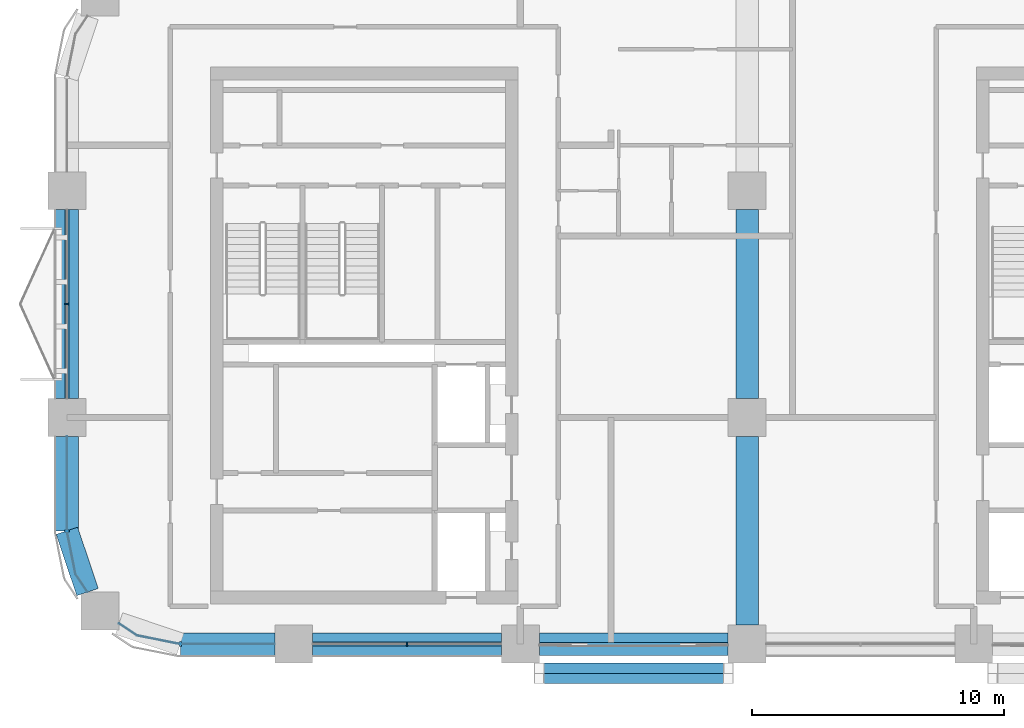
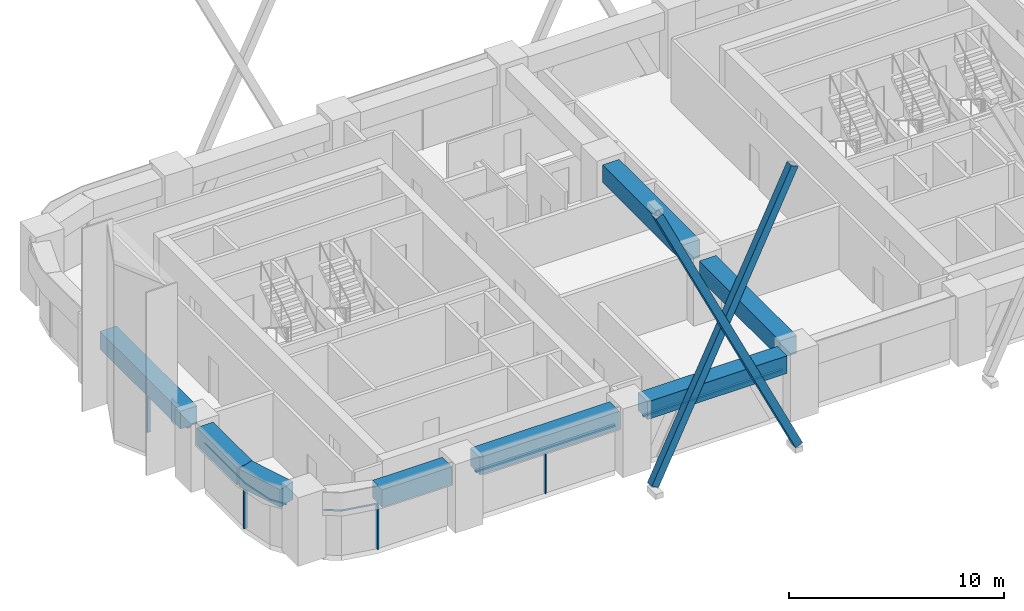
# One storey, part 2 of 13: 11 members, 8 beams, 5 elements without a shape of their own.
"""IFC4 building model written with IfcOpenShell, lengths in metres."""

from ifc_helpers import new_model, si_unit, direction, frame, origin, origin_2d, place, context, subcontext, project, spatial, polyline, rectangle, hollow_rectangle, outline, extrude, material, material_profile, profile_set, type_object, element, aggregate, save


model = new_model("IFC4")

# Units and contexts
model_context = context("Model", 3, precision=1e-05, world=origin(), true_north=direction((0.0, 1.0)))
body_context = subcontext(model_context, "Body", "Model", "MODEL_VIEW")
ifc_project = project(units=[si_unit("LENGTHUNIT", "METRE"), si_unit("AREAUNIT", "SQUARE_METRE"), si_unit("VOLUMEUNIT", "CUBIC_METRE"), si_unit("PLANEANGLEUNIT", "RADIAN"), si_unit("MASSUNIT", "GRAM", prefix="KILO")], contexts=[model_context])

# Site, building, storey
site_placement = place(None, origin())
site = spatial("IfcSite", under=ifc_project, at=site_placement, CompositionType="ELEMENT")
building_placement = place(site_placement, origin())
building = spatial("IfcBuilding", under=site, at=building_placement, Name="Tessera Arch", CompositionType="ELEMENT")
storey_placement = place(building_placement, frame((0.0, 0.0, 166.10009765625)))
storey = spatial("IfcBuildingStorey", under=building, at=storey_placement, Name="L39", CompositionType="ELEMENT", Elevation=166.10009765625)

# Members
ifc_material_1 = material(Name="Steel A500 Gr C", Category="steel")
ifc_material_profile_1 = material_profile(ifc_material_1, hollow_rectangle(XDim=0.406494140625, YDim=0.406494140625, WallThickness=0.0146484375, at=origin_2d()), Name="HSS16x16x5/8")
ifc_profile_set_1 = profile_set([ifc_material_profile_1], Name="Steel A500 Gr C")
member_type_1 = type_object("IfcMemberType", Name="Brace HSS16x16x5/8 Steel A500 Gr C", PredefinedType="BRACE", material=ifc_profile_set_1)
for number, where, z_axis, x_axis, name in (
    (1, (18.75, 26.046875, -0.800048828125), (0.433297739671, 0.0, 0.90125083567), (0.0, 1.0, 0.0), "Brace S27.0-2 A L39-L42"),
    (2, (26.25, 25.640380859375, -0.800048828125), (-0.433297739671, 0.0, 0.90125083567), (0.0, -1.0, 0.0), "Brace S27.0-2 B L39-L42"),
):
    element("IfcMember", number, at=place(storey_placement, frame(where, z_axis=z_axis, x_axis=x_axis)), inside=storey, type_object=member_type_1, Name=name, PredefinedType="BRACE", context=body_context, shape_type="SweptSolid", body=[
        extrude(hollow_rectangle(XDim=0.406494140625, YDim=0.406494140625, WallThickness=0.0146484375, at=origin_2d()), origin(), (0.0, 0.0, 1.0), 17.30908203125),
    ])

# Curtain wall, member
ifc_material_2 = material(Name="CW1 curtain wall")
curtain_wall_type_1 = type_object("IfcCurtainWallType", Name="CW1 curtain wall", PredefinedType="NOTDEFINED", material=ifc_material_2)
curtain_wall_1_placement = place(storey_placement, origin())
curtain_wall_1 = element("IfcCurtainWall", 3, at=curtain_wall_1_placement, inside=storey, type_object=curtain_wall_type_1, Name="CW1 curtain wall W0.27/1 L39", PredefinedType="NOTDEFINED")
ifc_material_3 = material(Name="Anodised aluminium pale metal", Category="aluminium")
ifc_material_profile_2 = material_profile(ifc_material_3, rectangle(XDim=0.159912109375, YDim=0.06005859375, at=origin_2d()), Name="AL 60x160")
ifc_profile_set_2 = profile_set([ifc_material_profile_2], Name="Anodised aluminium pale metal")
member_type_2 = type_object("IfcMemberType", Name="CW1 mullion", PredefinedType="MULLION", material=ifc_profile_set_2)
member_1_placement = place(storey_placement, frame((0.0, 40.5, 0.0), z_axis=(0.0, 0.0, 1.0), x_axis=(1.0, 0.0, 0.0)))
member_1 = element("IfcMember", 4, at=member_1_placement, type_object=member_type_2, Name="CW1 mullion W0.27/1 1", PredefinedType="MULLION", context=body_context, shape_type="SweptSolid", body=[
    extrude(rectangle(XDim=0.159912109375, YDim=0.06005859375, at=origin_2d()), origin(), (0.0, 0.0, 1.0), 2.5),
])

curtain_wall_2_placement = place(storey_placement, origin())
curtain_wall_2 = element("IfcCurtainWall", 5, at=curtain_wall_2_placement, inside=storey, type_object=curtain_wall_type_1, Name="CW1 curtain wall S27.0/1 L39", PredefinedType="NOTDEFINED")
member_2_placement = place(storey_placement, frame((13.5, 27.0, 0.0), z_axis=(0.0, 0.0, 1.0), x_axis=(0.0, 1.0, 0.0)))
member_2 = element("IfcMember", 6, at=member_2_placement, type_object=member_type_2, Name="CW1 mullion S27.0/1 1", PredefinedType="MULLION", context=body_context, shape_type="SweptSolid", body=[
    extrude(rectangle(XDim=0.159912109375, YDim=0.06005859375, at=origin_2d()), origin(), (0.0, 0.0, 1.0), 2.5),
])

# Member
ifc_material_4 = material(Name="Anodised aluminium pale metal", Category="aluminium")
ifc_material_profile_3 = material_profile(ifc_material_4, rectangle(XDim=0.159912109375, YDim=0.10009765625, at=origin_2d()), Name="AL 160x100")
ifc_profile_set_3 = profile_set([ifc_material_profile_3], Name="Anodised aluminium pale metal")
member_type_3 = type_object("IfcMemberType", Name="CW1 transom", PredefinedType="USERDEFINED", material=ifc_profile_set_3)
member_3_placement = place(storey_placement, frame((0.0, 44.25, 2.5498046875), z_axis=(0.0, -1.0, 0.0), x_axis=(1.0, 0.0, 0.0)))
member_3 = element("IfcMember", 7, at=member_3_placement, type_object=member_type_3, Name="CW1 transom W0.27/1 1.1", ObjectType="TRANSOM", PredefinedType="USERDEFINED", context=body_context, shape_type="SweptSolid", body=[
    extrude(rectangle(XDim=0.159912109375, YDim=0.10009765625, at=origin_2d()), origin(), (0.0, 0.0, 1.0), 7.5),
])

aggregate(curtain_wall_1, [member_1, member_3])

member_4_placement = place(storey_placement, frame((9.75, 27.0, 2.5498046875), z_axis=(1.0, 0.0, 0.0), x_axis=(0.0, 1.0, 0.0)))
member_4 = element("IfcMember", 8, at=member_4_placement, type_object=member_type_3, Name="CW1 transom S27.0/1 1.1", ObjectType="TRANSOM", PredefinedType="USERDEFINED", context=body_context, shape_type="SweptSolid", body=[
    extrude(rectangle(XDim=0.159912109375, YDim=0.10009765625, at=origin_2d()), origin(), (0.0, 0.0, 1.0), 7.5),
])

aggregate(curtain_wall_2, [member_2, member_4])

# Curtain wall, member
ifc_material_5 = material(Name="CW2 curtain wall")
curtain_wall_type_2 = type_object("IfcCurtainWallType", Name="CW2 curtain wall", PredefinedType="NOTDEFINED", material=ifc_material_5)
curtain_wall_3_placement = place(storey_placement, origin())
curtain_wall_3 = element("IfcCurtainWall", 9, at=curtain_wall_3_placement, inside=storey, type_object=curtain_wall_type_2, Name="CW2 curtain wall W0.27/2 L39", PredefinedType="NOTDEFINED")
ifc_material_6 = material(Name="Anodised aluminium pale metal", Category="aluminium")
ifc_material_profile_4 = material_profile(ifc_material_6, rectangle(XDim=0.199951171875, YDim=0.080078125, at=origin_2d()), Name="AL 80x200")
ifc_profile_set_4 = profile_set([ifc_material_profile_4], Name="Anodised aluminium pale metal")
member_type_4 = type_object("IfcMemberType", Name="CW2 mullion", PredefinedType="MULLION", material=ifc_profile_set_4)
member_5_placement = place(storey_placement, frame((0.0, 31.5, 0.0), z_axis=(0.0, 0.0, 1.0), x_axis=(1.0, 0.0, 0.0)))
member_5 = element("IfcMember", 10, at=member_5_placement, type_object=member_type_4, Name="CW2 mullion W0.27/2 1", PredefinedType="MULLION", context=body_context, shape_type="SweptSolid", body=[
    extrude(rectangle(XDim=0.199951171875, YDim=0.080078125, at=origin_2d()), origin(), (0.0, 0.0, 1.0), 2.5),
])

curtain_wall_4_placement = place(storey_placement, origin())
curtain_wall_4 = element("IfcCurtainWall", 11, at=curtain_wall_4_placement, inside=storey, type_object=curtain_wall_type_2, Name="CW2 curtain wall S27.0/0 L39", PredefinedType="NOTDEFINED")
member_6_placement = place(storey_placement, frame((4.5, 27.0, 0.0), z_axis=(0.0, 0.0, 1.0), x_axis=(0.0, 1.0, 0.0)))
member_6 = element("IfcMember", 12, at=member_6_placement, type_object=member_type_4, Name="CW2 mullion S27.0/0 1", PredefinedType="MULLION", context=body_context, shape_type="SweptSolid", body=[
    extrude(rectangle(XDim=0.199951171875, YDim=0.080078125, at=origin_2d()), origin(), (0.0, 0.0, 1.0), 2.5),
])

# Member
ifc_material_7 = material(Name="Anodised aluminium pale metal", Category="aluminium")
ifc_material_profile_5 = material_profile(ifc_material_7, rectangle(XDim=0.199951171875, YDim=0.10009765625, at=origin_2d()), Name="AL 200x100")
ifc_profile_set_5 = profile_set([ifc_material_profile_5], Name="Anodised aluminium pale metal")
member_type_5 = type_object("IfcMemberType", Name="CW2 transom", PredefinedType="USERDEFINED", material=ifc_profile_set_5)
member_7_placement = place(storey_placement, frame((0.0, 0.0, 2.5)))
member_7 = element("IfcMember", 13, at=member_7_placement, type_object=member_type_5, Name="CW2 transom W0.27/2 1", ObjectType="TRANSOM", PredefinedType="USERDEFINED", context=body_context, shape_type="SweptSolid", body=[
    extrude(outline(polyline([(0.010009765625, 31.5009765625), (0.010009765625, 35.25), (-0.010009765625, 35.25), (-0.010009765625, 31.4990234375), (0.3330078125, 29.77392578125), (0.80859375, 29.0625), (0.8251953125, 29.073486328125), (0.351806640625, 29.78173828125), (0.010009765625, 31.5009765625)])), origin(), (0.0, 0.0, 1.0), 0.099853515625),
])

aggregate(curtain_wall_3, [member_5, member_7])

member_8_placement = place(storey_placement, frame((0.0, 0.0, 2.5)))
member_8 = element("IfcMember", 14, at=member_8_placement, type_object=member_type_5, Name="CW2 transom S27.0/0 1", ObjectType="TRANSOM", PredefinedType="USERDEFINED", context=body_context, shape_type="SweptSolid", body=[
    extrude(outline(polyline([(2.78173828125, 27.351806640625), (2.073486328125, 27.8251953125), (2.0625, 27.80859375), (2.77392578125, 27.3330078125), (4.4990234375, 26.989990234375), (8.25, 26.989990234375), (8.25, 27.010009765625), (4.5009765625, 27.010009765625), (2.78173828125, 27.351806640625)])), origin(), (0.0, 0.0, 1.0), 0.099853515625),
])

aggregate(curtain_wall_4, [member_6, member_8])

# Curtain wall, member
ifc_material_8 = material(Name="CW3 curtain wall")
curtain_wall_type_3 = type_object("IfcCurtainWallType", Name="CW3 curtain wall", PredefinedType="NOTDEFINED", material=ifc_material_8)
curtain_wall_5_placement = place(storey_placement, origin())
curtain_wall_5 = element("IfcCurtainWall", 15, at=curtain_wall_5_placement, inside=storey, type_object=curtain_wall_type_3, Name="CW3 curtain wall S27.0/2 L39", PredefinedType="NOTDEFINED")
ifc_material_9 = material(Name="Anodised aluminium pale metal", Category="aluminium")
ifc_material_profile_6 = material_profile(ifc_material_9, rectangle(XDim=0.139892578125, YDim=0.10009765625, at=origin_2d()), Name="AL 140x100")
ifc_profile_set_6 = profile_set([ifc_material_profile_6], Name="Anodised aluminium pale metal")
member_type_6 = type_object("IfcMemberType", Name="CW3 transom", PredefinedType="USERDEFINED", material=ifc_profile_set_6)
member_9_placement = place(storey_placement, frame((18.75, 27.0, 2.5498046875), z_axis=(1.0, 0.0, 0.0), x_axis=(0.0, 1.0, 0.0)))
member_9 = element("IfcMember", 16, at=member_9_placement, type_object=member_type_6, Name="CW3 transom S27.0/2 1.1", ObjectType="TRANSOM", PredefinedType="USERDEFINED", context=body_context, shape_type="SweptSolid", body=[
    extrude(rectangle(XDim=0.139892578125, YDim=0.10009765625, at=origin_2d()), origin(), (0.0, 0.0, 1.0), 7.5),
])
aggregate(curtain_wall_5, [member_9])

# Beams
ifc_material_10 = material(Name="Concrete C70/85", Category="concrete")
ifc_material_profile_7 = material_profile(ifc_material_10, rectangle(XDim=0.89990234375, YDim=1.0, at=origin_2d()), Name="RC spandrel beam 900 x 1000 Concrete C70/85")
ifc_profile_set_7 = profile_set([ifc_material_profile_7], Name="Concrete C70/85")
beam_type = type_object("IfcBeamType", Name="RC spandrel beam 900 x 1000 Concrete C70/85", PredefinedType="BEAM", material=ifc_profile_set_7)
beam_1_placement = place(storey_placement, frame((0.0, 44.25, 3.099853515625), z_axis=(0.0, -1.0, 0.0), x_axis=(1.0, 0.0, 0.0)))
element("IfcBeam", 17, at=beam_1_placement, inside=storey, type_object=beam_type, Name="Spandrel beam L39 W0.27/1", PredefinedType="BEAM", context=body_context, shape_type="SweptSolid", body=[
    extrude(rectangle(XDim=0.89990234375, YDim=1.0, at=origin_2d()), origin(), (0.0, 0.0, 1.0), 7.5),
])
beam_2_placement = place(storey_placement, frame((0.0, 35.25, 3.099853515625), z_axis=(0.0, -1.0, 0.0), x_axis=(1.0, 0.0, 0.0)))
element("IfcBeam", 18, at=beam_2_placement, inside=storey, type_object=beam_type, Name="Spandrel beam L39 W0.27/2.1", PredefinedType="BEAM", context=body_context, shape_type="SweptSolid", body=[
    extrude(rectangle(XDim=0.89990234375, YDim=1.0, at=origin_2d()), origin(), (0.0, 0.0, 1.0), 3.75),
])
beam_3_placement = place(storey_placement, frame((0.0, 31.5, 3.099853515625), z_axis=(0.31842525032, -0.947947973234, 0.0), x_axis=(0.947947973234, 0.31842525032, 0.0)))
element("IfcBeam", 19, at=beam_3_placement, inside=storey, type_object=beam_type, Name="Spandrel beam L39 W0.27/2.2", PredefinedType="BEAM", context=body_context, shape_type="SweptSolid", body=[
    extrude(rectangle(XDim=0.89990234375, YDim=1.0, at=origin_2d()), origin(), (0.0, 0.0, 1.0), 2.5654296875),
])
beam_4_placement = place(storey_placement, frame((4.5, 27.0, 3.099853515625), z_axis=(1.0, 0.0, 0.0), x_axis=(0.0, 1.0, 0.0)))
element("IfcBeam", 20, at=beam_4_placement, inside=storey, type_object=beam_type, Name="Spandrel beam L39 S27.0/0.2", PredefinedType="BEAM", context=body_context, shape_type="SweptSolid", body=[
    extrude(rectangle(XDim=0.89990234375, YDim=1.0, at=origin_2d()), origin(), (0.0, 0.0, 1.0), 3.75),
])
for number, where, z_axis, x_axis, name in (
    (21, (9.75, 27.0, 3.099853515625), (1.0, 0.0, 0.0), (0.0, 1.0, 0.0), "Spandrel beam L39 S27.0/1"),
    (22, (18.75, 27.0, 3.099853515625), (1.0, 0.0, 0.0), (0.0, 1.0, 0.0), "Spandrel beam L39 S27.0/2"),
    (23, (27.0, 27.75, 3.099853515625), (0.0, 1.0, 0.0), (-1.0, 0.0, 0.0), "Interface beam L39 I0C4D-C4E"),
    (24, (27.0, 36.75, 3.099853515625), (0.0, 1.0, 0.0), (-1.0, 0.0, 0.0), "Interface beam L39 I0C4E-C4F"),
):
    element("IfcBeam", number, at=place(storey_placement, frame(where, z_axis=z_axis, x_axis=x_axis)), inside=storey, type_object=beam_type, Name=name, PredefinedType="BEAM", context=body_context, shape_type="SweptSolid", body=[
        extrude(rectangle(XDim=0.89990234375, YDim=1.0, at=origin_2d()), origin(), (0.0, 0.0, 1.0), 7.5),
    ])

save(model, "model.ifc")
